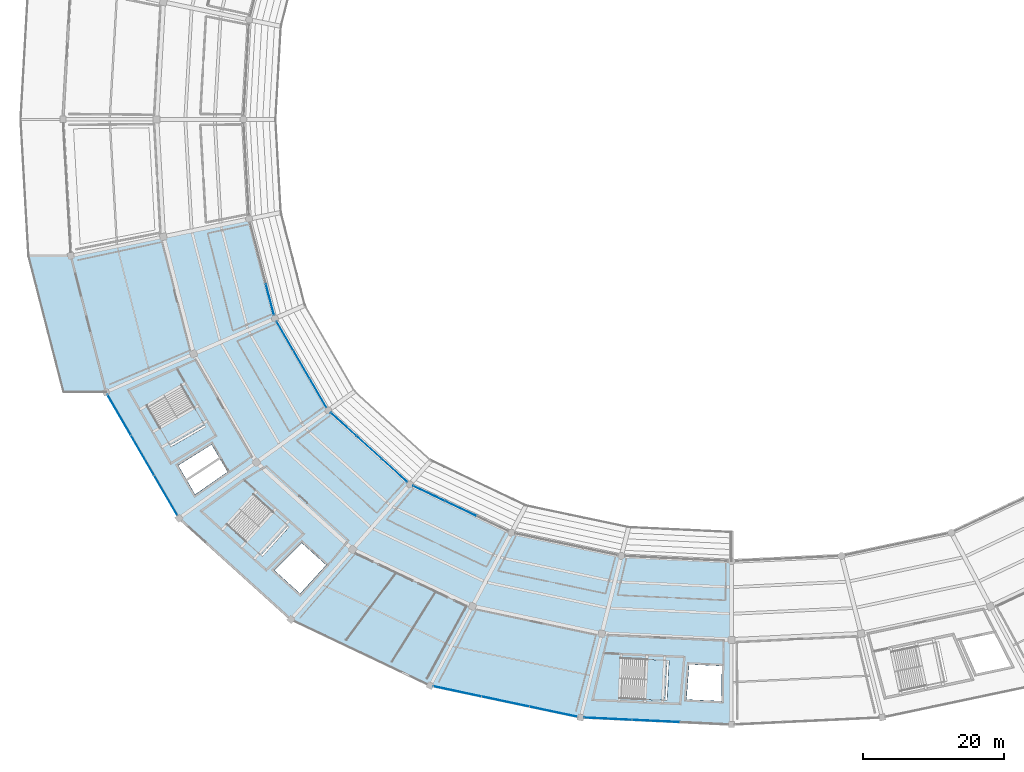
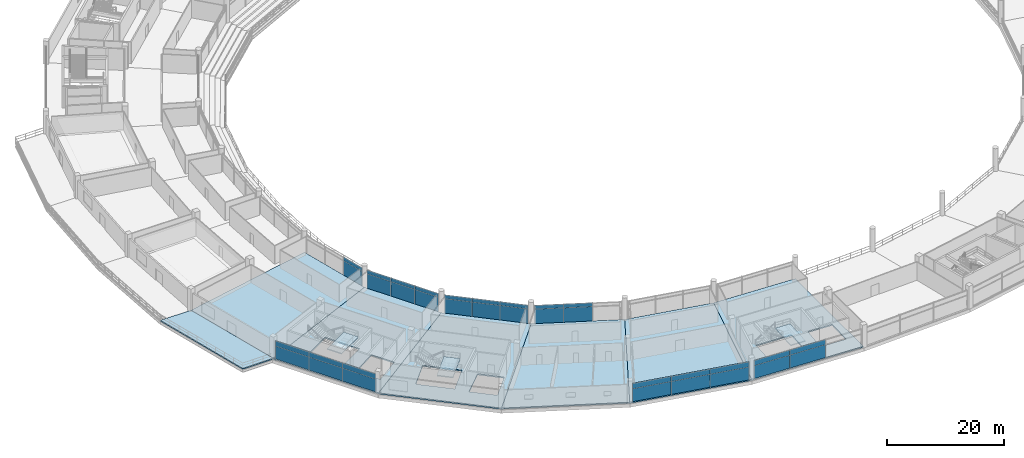
# One storey, part 122 of 171: 34 plates, 10 slabs, 10 elements without a shape of their own.
"""IFC4 building model written with IfcOpenShell, lengths in metres."""

import ifcopenshell
import ifcopenshell.guid

model = None  # the IFC model being written
_history = None  # IfcOwnerHistory: only IFC2X3 demands one
_inside = {}  # id of a spatial element -> (the spatial element, [elements in it])
_under = {}  # id of a project, library or spatial element -> (it, [spatial elements below it])
_declared = {}  # id of a project -> (the project, [libraries it declares])
_typed = {}  # id of a type object -> (the type object, [elements of that type])
_made_of = {}  # id of a material, layer set ... -> (it, [elements and type objects made of it])


def new_model(schema):
    """Start an empty IFC model of exactly this schema.

    Asked for "IFC4X3", IfcOpenShell would pick the latest addendum, in which some entities
    have other attributes; the version numbers below select the first issue.
    IFC2X3 requires an IfcOwnerHistory on every rooted entity: one is made here for all.
    """
    global model, _history
    if schema == "IFC4X3":
        model = ifcopenshell.file(schema_version=(4, 3, 0, 0))
    else:
        model = ifcopenshell.file(schema=schema)
    _inside.clear()
    _under.clear()
    _declared.clear()
    _typed.clear()
    _made_of.clear()
    _history = None
    if model.schema == "IFC2X3":
        org = make("IfcOrganization", Name="unknown")
        user = make(
            "IfcPersonAndOrganization",
            ThePerson=make("IfcPerson", FamilyName="unknown"),
            TheOrganization=org,
        )
        app = make(
            "IfcApplication",
            ApplicationDeveloper=org,
            Version="unknown",
            ApplicationFullName="unknown",
            ApplicationIdentifier="unknown",
        )
        _history = make(
            "IfcOwnerHistory",
            OwningUser=user,
            OwningApplication=app,
            ChangeAction="ADDED",
            CreationDate=0,
        )
    return model


def make(cls, **values):
    """One entity of the class cls with the attributes given. An attribute that is None is left unset."""
    return model.create_entity(
        cls, **{name: value for name, value in values.items() if value is not None}
    )


def rooted(cls, **values):
    """An entity with a GlobalId (a new one), such as an element, a storey or a relation."""
    return make(cls, GlobalId=ifcopenshell.guid.new(), OwnerHistory=_history, **values)


def si_unit(unit_type, name, prefix=None):
    """IfcSIUnit, for example si_unit("LENGTHUNIT", "METRE", prefix="MILLI")."""
    return make("IfcSIUnit", UnitType=unit_type, Prefix=prefix, Name=name)


def assignment(units):
    """IfcUnitAssignment: the units of a project."""
    return None if units is None else make("IfcUnitAssignment", Units=units)


def point(xyz):
    """IfcCartesianPoint."""
    return None if xyz is None else make("IfcCartesianPoint", Coordinates=xyz)


def direction(xyz):
    """IfcDirection."""
    return None if xyz is None else make("IfcDirection", DirectionRatios=xyz)


def frame(location, z_axis=None, x_axis=None):
    """IfcAxis2Placement3D, a coordinate frame: its origin and axes. An axis left out is left unset."""
    return make(
        "IfcAxis2Placement3D",
        Location=point(location),
        Axis=direction(z_axis),
        RefDirection=direction(x_axis),
    )


def frame_2d(location, x_axis=None):
    """IfcAxis2Placement2D, a coordinate frame in the plane: its origin and x axis."""
    return make(
        "IfcAxis2Placement2D", Location=point(location), RefDirection=direction(x_axis)
    )


def origin():
    """The frame at (0, 0, 0) with its axes left unset."""
    return frame((0.0, 0.0, 0.0))


def origin_2d():
    """The frame at (0, 0) in the plane with its x axis left unset."""
    return frame_2d((0.0, 0.0))


def place(relative_to, where):
    """IfcLocalPlacement: puts the frame where relative to a parent placement (None: the world)."""
    return make(
        "IfcLocalPlacement", PlacementRelTo=relative_to, RelativePlacement=where
    )


def context(
    kind, dimensions, precision=None, world=None, true_north=None, identifier=None
):
    """IfcGeometricRepresentationContext, for example the 3D "Model" context."""
    return make(
        "IfcGeometricRepresentationContext",
        ContextIdentifier=identifier,
        ContextType=kind,
        CoordinateSpaceDimension=dimensions,
        Precision=precision,
        WorldCoordinateSystem=world,
        TrueNorth=true_north,
    )


def subcontext(parent, identifier, kind, view, scale=None):
    """IfcGeometricRepresentationSubContext, for example "Body" below "Model"."""
    return make(
        "IfcGeometricRepresentationSubContext",
        ContextIdentifier=identifier,
        ContextType=kind,
        ParentContext=parent,
        TargetScale=scale,
        TargetView=view,
    )


def project(units=None, contexts=None):
    """IfcProject with its units and contexts."""
    return rooted(
        "IfcProject",
        Name="project",
        RepresentationContexts=contexts,
        UnitsInContext=assignment(units),
    )


def spatial(cls, under=None, at=None, **own):
    """A site, building, storey or space (cls), placed at a placement, below another one or the project."""
    s = rooted(cls, ObjectPlacement=at, **own)
    if under is not None:
        _under.setdefault(under.id(), (under, []))[1].append(s)
    return s


def polyline(points):
    """IfcPolyline through the points."""
    return make("IfcPolyline", Points=[point(p) for p in points])


def profile(cls, at=None, kind="AREA", **sizes):
    """A parametric profile (cls). Its sizes go by their IFC names, for example OverallWidth=200.0."""
    return make(cls, ProfileType=kind, Position=at, **sizes)


def rectangle(**sizes):
    """IfcRectangleProfileDef."""
    return profile("IfcRectangleProfileDef", **sizes)


def outline(outer, holes=None, kind="AREA"):
    """IfcArbitraryClosedProfileDef: a profile drawn as a closed curve; with holes, ...WithVoids."""
    if holes is None:
        return make("IfcArbitraryClosedProfileDef", ProfileType=kind, OuterCurve=outer)
    return make(
        "IfcArbitraryProfileDefWithVoids",
        ProfileType=kind,
        OuterCurve=outer,
        InnerCurves=holes,
    )


def extrude(swept, where, along, depth):
    """IfcExtrudedAreaSolid: the profile swept, set in the frame where, extruded along a direction by depth."""
    return make(
        "IfcExtrudedAreaSolid",
        SweptArea=swept,
        Position=where,
        ExtrudedDirection=direction(along),
        Depth=depth,
    )


def shape(context_of_items, identifier, shape_type, items):
    """IfcShapeRepresentation: the items that make up one representation, for example the "Body"."""
    return make(
        "IfcShapeRepresentation",
        ContextOfItems=context_of_items,
        RepresentationIdentifier=identifier,
        RepresentationType=shape_type,
        Items=items,
    )


def material(Name=None, Category=None):
    """IfcMaterial."""
    return make("IfcMaterial", Name=Name, Category=Category)


def layer(
    of_material, thickness, ventilated=None, Name=None, Category=None, Priority=None
):
    """IfcMaterialLayer: one layer of a wall or slab, of a material (None: an air gap)."""
    return make(
        "IfcMaterialLayer",
        Material=of_material,
        LayerThickness=thickness,
        IsVentilated=ventilated,
        Name=Name,
        Category=Category,
        Priority=Priority,
    )


def layer_set(layers, Name=None):
    """IfcMaterialLayerSet."""
    return make("IfcMaterialLayerSet", MaterialLayers=layers, LayerSetName=Name)


def made_of(thing, what):
    """Note that an element or type object is made of a material, layer set ...; save() writes the relation."""
    if what is not None:
        _made_of.setdefault(what.id(), (what, []))[1].append(thing)
    return thing


def type_object(cls, material=None, **own):
    """A type object (cls), such as IfcWallType, which elements share."""
    return made_of(rooted(cls, **own), material)


def element(
    cls,
    number,
    at=None,
    inside=None,
    cuts=None,
    type_object=None,
    material=None,
    context=None,
    identifier="Body",
    shape_type=None,
    held_by="IfcProductDefinitionShape",
    body=None,
    shapes=None,
    **own,
):
    """One element of the class cls, such as IfcWall. Its Tag is "e" and its number.

    at: its placement. inside: the storey or other place that contains it. cuts: it is an
    opening in that element (IfcRelVoidsElement). A single representation is given by context,
    identifier, shape_type and body (its items); several are given by shapes. held_by: the class
    of the entity that holds the representations. save() writes the other relations.
    """
    e = rooted(cls, Tag="e%d" % number, ObjectPlacement=at, **own)
    if body is not None:
        shapes = [shape(context, identifier, shape_type, body)]
    if shapes is not None:
        e.Representation = make(held_by, Representations=shapes)
    if inside is not None:
        _inside.setdefault(inside.id(), (inside, []))[1].append(e)
    if cuts is not None:
        rooted(
            "IfcRelVoidsElement", RelatingBuildingElement=cuts, RelatedOpeningElement=e
        )
    if type_object is not None:
        _typed.setdefault(type_object.id(), (type_object, []))[1].append(e)
    return made_of(e, material)


def aggregate(whole, parts):
    """IfcRelAggregates: a whole, such as a stair, and the parts it consists of."""
    return rooted("IfcRelAggregates", RelatingObject=whole, RelatedObjects=parts)


def save(model, path):
    """Write the relations noted so far, then the file.

    IfcRelAggregates (storeys below a building ...), IfcRelContainedInSpatialStructure (elements
    in a storey), IfcRelDefinesByType, IfcRelAssociatesMaterial and IfcRelDeclares: one each for
    every whole, place, type object, material and project.
    """
    for whole, parts in _under.values():
        aggregate(whole, parts)
    for where, things in _inside.values():
        rooted(
            "IfcRelContainedInSpatialStructure",
            RelatedElements=things,
            RelatingStructure=where,
        )
    for kind, things in _typed.values():
        rooted("IfcRelDefinesByType", RelatedObjects=things, RelatingType=kind)
    for what, things in _made_of.values():
        rooted("IfcRelAssociatesMaterial", RelatedObjects=things, RelatingMaterial=what)
    for by, libraries in _declared.values():
        rooted("IfcRelDeclares", RelatingContext=by, RelatedDefinitions=libraries)
    model.write(path)


model = new_model("IFC4")

# Units and contexts
model_context = context("Model", 3, precision=1e-05, world=origin(), true_north=direction((0.0, 1.0)))
body_context = subcontext(model_context, "Body", "Model", "MODEL_VIEW")
ifc_project = project(units=[si_unit("LENGTHUNIT", "METRE"), si_unit("AREAUNIT", "SQUARE_METRE"), si_unit("VOLUMEUNIT", "CUBIC_METRE"), si_unit("PLANEANGLEUNIT", "RADIAN"), si_unit("MASSUNIT", "GRAM", prefix="KILO")], contexts=[model_context])

# Site, building, storey
site_placement = place(None, origin())
site = spatial("IfcSite", under=ifc_project, at=site_placement, CompositionType="ELEMENT")
building_placement = place(site_placement, origin())
building = spatial("IfcBuilding", under=site, at=building_placement, Name="Kazemori Nagisa Stadium", CompositionType="ELEMENT")
storey_placement = place(building_placement, frame((0.0, 0.0, 15.639892578125)))
storey = spatial("IfcBuildingStorey", under=building, at=storey_placement, Name="L03", CompositionType="ELEMENT", Elevation=15.639892578125)

# Curtain wall, plate
ifc_material_1 = material(Name="Anodised aluminium 6063-T5", Category="aluminium")
ifc_layer_1 = layer(ifc_material_1, 0.2099609375, Name="Anodised aluminium 6063-T5", Category="aluminium")
ifc_layer_set_1 = layer_set([ifc_layer_1], Name="Anodised aluminium 6063-T5")
curtain_wall_type_1 = type_object("IfcCurtainWallType", Name="CW_L03B_68", PredefinedType="USERDEFINED", material=ifc_layer_set_1)
curtain_wall_1_placement = place(storey_placement, origin())
curtain_wall_1 = element("IfcCurtainWall", 1, at=curtain_wall_1_placement, inside=storey, type_object=curtain_wall_type_1, Name="Unitised curtain wall CW-L03B-68 L03", ObjectType="UNITISED CURTAIN WALL", PredefinedType="USERDEFINED")
ifc_material_2 = material(Name="Anodised aluminium spandrel sheet", Category="aluminium")
ifc_layer_2 = layer(ifc_material_2, 0.047119140625, Name="Anodised aluminium spandrel sheet", Category="aluminium")
ifc_layer_set_2 = layer_set([ifc_layer_2], Name="Anodised aluminium spandrel sheet")
plate_type_1 = type_object("IfcPlateType", Name="CWPanel_SPN_L03B_68", PredefinedType="CURTAIN_PANEL", material=ifc_layer_set_2)
plate_1_placement = place(storey_placement, frame((57.4169921875, 76.41259765625, 3.01025390625), z_axis=(0.0, 0.0, 1.0), x_axis=(0.249964642418, -0.968254965152, 0.0)))
plate_1 = element("IfcPlate", 2, at=plate_1_placement, type_object=plate_type_1, Name="Curtain wall spandrel panel CW-L03B-68-S3", PredefinedType="CURTAIN_PANEL", context=body_context, shape_type="SweptSolid", body=[
    extrude(rectangle(XDim=4.482666015625, YDim=0.047119140625, at=origin_2d()), origin(), (0.0, 0.0, 1.0), 0.800048828125),
])

# Curtain wall, plates
ifc_layer_3 = layer(ifc_material_1, 0.2099609375, Name="Anodised aluminium 6063-T5", Category="aluminium")
ifc_layer_set_3 = layer_set([ifc_layer_3], Name="Anodised aluminium 6063-T5")
curtain_wall_type_2 = type_object("IfcCurtainWallType", Name="CW_L03B_71", PredefinedType="USERDEFINED", material=ifc_layer_set_3)
curtain_wall_2_placement = place(storey_placement, origin())
curtain_wall_2 = element("IfcCurtainWall", 3, at=curtain_wall_2_placement, inside=storey, type_object=curtain_wall_type_2, Name="Unitised curtain wall CW-L03B-71 L03", ObjectType="UNITISED CURTAIN WALL", PredefinedType="USERDEFINED")
ifc_layer_4 = layer(ifc_material_2, 0.047119140625, Name="Anodised aluminium spandrel sheet", Category="aluminium")
ifc_layer_set_4 = layer_set([ifc_layer_4], Name="Anodised aluminium spandrel sheet")
plate_type_2 = type_object("IfcPlateType", Name="CWPanel_SPN_L03B_71", PredefinedType="CURTAIN_PANEL", material=ifc_layer_set_4)
plate_2_placement = place(storey_placement, frame((59.556884765625, 71.224365234375, 3.01025390625), z_axis=(0.0, 0.0, 1.0), x_axis=(0.501611590054, -0.865092950337, 0.0)))
plate_2 = element("IfcPlate", 4, at=plate_2_placement, type_object=plate_type_2, Name="Curtain wall spandrel panel CW-L03B-71-S1", PredefinedType="CURTAIN_PANEL", context=body_context, shape_type="SweptSolid", body=[
    extrude(rectangle(XDim=4.659423828125, YDim=0.047119140625, at=origin_2d()), origin(), (0.0, 0.0, 1.0), 0.800048828125),
])
plate_3_placement = place(storey_placement, frame((61.90625, 67.172607421875, 3.01025390625), z_axis=(0.0, 0.0, 1.0), x_axis=(0.501611590054, -0.865092950337, 0.0)))
plate_3 = element("IfcPlate", 5, at=plate_3_placement, type_object=plate_type_2, Name="Curtain wall spandrel panel CW-L03B-71-S2", PredefinedType="CURTAIN_PANEL", context=body_context, shape_type="SweptSolid", body=[
    extrude(rectangle(XDim=4.659423828125, YDim=0.047119140625, at=origin_2d()), origin(), (0.0, 0.0, 1.0), 0.800048828125),
])
plate_4_placement = place(storey_placement, frame((64.25537109375, 63.12109375, 3.01025390625), z_axis=(0.0, 0.0, 1.0), x_axis=(0.501611590054, -0.865092950337, 0.0)))
plate_4 = element("IfcPlate", 6, at=plate_4_placement, type_object=plate_type_2, Name="Curtain wall spandrel panel CW-L03B-71-S3", PredefinedType="CURTAIN_PANEL", context=body_context, shape_type="SweptSolid", body=[
    extrude(rectangle(XDim=4.659423828125, YDim=0.047119140625, at=origin_2d()), origin(), (0.0, 0.0, 1.0), 0.800048828125),
])

ifc_layer_5 = layer(ifc_material_1, 0.2099609375, Name="Anodised aluminium 6063-T5", Category="aluminium")
ifc_layer_set_5 = layer_set([ifc_layer_5], Name="Anodised aluminium 6063-T5")
curtain_wall_type_3 = type_object("IfcCurtainWallType", Name="CW_L03B_73", PredefinedType="USERDEFINED", material=ifc_layer_set_5)
curtain_wall_3_placement = place(storey_placement, origin())
curtain_wall_3 = element("IfcCurtainWall", 7, at=curtain_wall_3_placement, inside=storey, type_object=curtain_wall_type_3, Name="Unitised curtain wall CW-L03B-73 L03", ObjectType="UNITISED CURTAIN WALL", PredefinedType="USERDEFINED")
ifc_layer_6 = layer(ifc_material_2, 0.047119140625, Name="Anodised aluminium spandrel sheet", Category="aluminium")
ifc_layer_set_6 = layer_set([ifc_layer_6], Name="Anodised aluminium spandrel sheet")
plate_type_3 = type_object("IfcPlateType", Name="CWPanel_SPN_L03B_73", PredefinedType="CURTAIN_PANEL", material=ifc_layer_set_6)
plate_5_placement = place(storey_placement, frame((67.89697265625, 58.642333984375, 3.01025390625), z_axis=(0.0, 0.0, 1.0), x_axis=(0.741350875443, -0.671117634607, 0.0)))
plate_5 = element("IfcPlate", 8, at=plate_5_placement, type_object=plate_type_3, Name="Curtain wall spandrel panel CW-L03B-73-S1", PredefinedType="CURTAIN_PANEL", context=body_context, shape_type="SweptSolid", body=[
    extrude(rectangle(XDim=4.83740234375, YDim=0.047119140625, at=origin_2d()), origin(), (0.0, 0.0, 1.0), 0.800048828125),
])
plate_6_placement = place(storey_placement, frame((71.5009765625, 55.3798828125, 3.01025390625), z_axis=(0.0, 0.0, 1.0), x_axis=(0.741350875443, -0.671117634607, 0.0)))
plate_6 = element("IfcPlate", 9, at=plate_6_placement, type_object=plate_type_3, Name="Curtain wall spandrel panel CW-L03B-73-S2", PredefinedType="CURTAIN_PANEL", context=body_context, shape_type="SweptSolid", body=[
    extrude(rectangle(XDim=4.83740234375, YDim=0.047119140625, at=origin_2d()), origin(), (0.0, 0.0, 1.0), 0.800048828125),
])
plate_7_placement = place(storey_placement, frame((75.10498046875, 52.1171875, 3.01025390625), z_axis=(0.0, 0.0, 1.0), x_axis=(0.741350875443, -0.671117634607, 0.0)))
plate_7 = element("IfcPlate", 10, at=plate_7_placement, type_object=plate_type_3, Name="Curtain wall spandrel panel CW-L03B-73-S3", PredefinedType="CURTAIN_PANEL", context=body_context, shape_type="SweptSolid", body=[
    extrude(rectangle(XDim=4.83740234375, YDim=0.047119140625, at=origin_2d()), origin(), (0.0, 0.0, 1.0), 0.800048828125),
])

ifc_layer_7 = layer(ifc_material_1, 0.2099609375, Name="Anodised aluminium 6063-T5", Category="aluminium")
ifc_layer_set_7 = layer_set([ifc_layer_7], Name="Anodised aluminium 6063-T5")
curtain_wall_type_4 = type_object("IfcCurtainWallType", Name="CW_L03B_75", PredefinedType="USERDEFINED", material=ifc_layer_set_7)
curtain_wall_4_placement = place(storey_placement, origin())
curtain_wall_4 = element("IfcCurtainWall", 11, at=curtain_wall_4_placement, inside=storey, type_object=curtain_wall_type_4, Name="Unitised curtain wall CW-L03B-75 L03", ObjectType="UNITISED CURTAIN WALL", PredefinedType="USERDEFINED")
ifc_layer_8 = layer(ifc_material_2, 0.047119140625, Name="Anodised aluminium spandrel sheet", Category="aluminium")
ifc_layer_set_8 = layer_set([ifc_layer_8], Name="Anodised aluminium spandrel sheet")
plate_type_4 = type_object("IfcPlateType", Name="CWPanel_SPN_L03B_75", PredefinedType="CURTAIN_PANEL", material=ifc_layer_set_8)
plate_8_placement = place(storey_placement, frame((80.03369140625, 48.82958984375, 3.01025390625), z_axis=(0.0, 0.0, 1.0), x_axis=(0.903215892654, -0.429186499388, 0.0)))
plate_8 = element("IfcPlate", 12, at=plate_8_placement, type_object=plate_type_4, Name="Curtain wall spandrel panel CW-L03B-75-S1", PredefinedType="CURTAIN_PANEL", context=body_context, shape_type="SweptSolid", body=[
    extrude(rectangle(XDim=4.95166015625, YDim=0.047119140625, at=origin_2d()), origin(), (0.0, 0.0, 1.0), 0.800048828125),
])
plate_9_placement = place(storey_placement, frame((84.528076171875, 46.694091796875, 3.01025390625), z_axis=(0.0, 0.0, 1.0), x_axis=(0.903215892654, -0.429186499388, 0.0)))
plate_9 = element("IfcPlate", 13, at=plate_9_placement, type_object=plate_type_4, Name="Curtain wall spandrel panel CW-L03B-75-S2", PredefinedType="CURTAIN_PANEL", context=body_context, shape_type="SweptSolid", body=[
    extrude(rectangle(XDim=4.95166015625, YDim=0.047119140625, at=origin_2d()), origin(), (0.0, 0.0, 1.0), 0.800048828125),
])

ifc_layer_9 = layer(ifc_material_1, 0.2099609375, Name="Anodised aluminium 6063-T5", Category="aluminium")
ifc_layer_set_9 = layer_set([ifc_layer_9], Name="Anodised aluminium 6063-T5")
curtain_wall_type_5 = type_object("IfcCurtainWallType", Name="CW_L03R3_103", PredefinedType="USERDEFINED", material=ifc_layer_set_9)
curtain_wall_5_placement = place(storey_placement, origin())
curtain_wall_5 = element("IfcCurtainWall", 14, at=curtain_wall_5_placement, inside=storey, type_object=curtain_wall_type_5, Name="Unitised curtain wall CW-L03R3-103 L03", ObjectType="UNITISED CURTAIN WALL", PredefinedType="USERDEFINED")
ifc_layer_10 = layer(ifc_material_2, 0.050048828125, Name="Anodised aluminium spandrel sheet", Category="aluminium")
ifc_layer_set_10 = layer_set([ifc_layer_10], Name="Anodised aluminium spandrel sheet")
plate_type_5 = type_object("IfcPlateType", Name="CWPanel_SPN_L03R3_103", PredefinedType="CURTAIN_PANEL", material=ifc_layer_set_10)
plate_10_placement = place(storey_placement, frame((105.4599609375, 16.829345703125, 2.705078125), z_axis=(0.0, 0.0, 1.0), x_axis=(0.998884022476, -0.047230388971, 0.0)))
plate_10 = element("IfcPlate", 15, at=plate_10_placement, type_object=plate_type_5, Name="Curtain wall spandrel panel CW-L03R3-103-S1", PredefinedType="CURTAIN_PANEL", context=body_context, shape_type="SweptSolid", body=[
    extrude(rectangle(XDim=6.81005859375, YDim=0.050048828125, at=origin_2d()), origin(), (0.0, 0.0, 1.0), 1.10498046875),
])
plate_11_placement = place(storey_placement, frame((112.2861328125, 16.506591796875, 2.705078125), z_axis=(0.0, 0.0, 1.0), x_axis=(0.998884022476, -0.047230388971, 0.0)))
plate_11 = element("IfcPlate", 16, at=plate_11_placement, type_object=plate_type_5, Name="Curtain wall spandrel panel CW-L03R3-103-S2", PredefinedType="CURTAIN_PANEL", context=body_context, shape_type="SweptSolid", body=[
    extrude(rectangle(XDim=6.81005859375, YDim=0.050048828125, at=origin_2d()), origin(), (0.0, 0.0, 1.0), 1.10498046875),
])

ifc_layer_11 = layer(ifc_material_1, 0.2099609375, Name="Anodised aluminium 6063-T5", Category="aluminium")
ifc_layer_set_11 = layer_set([ifc_layer_11], Name="Anodised aluminium 6063-T5")
curtain_wall_type_6 = type_object("IfcCurtainWallType", Name="CW_L03R3_105", PredefinedType="USERDEFINED", material=ifc_layer_set_11)
curtain_wall_6_placement = place(storey_placement, origin())
curtain_wall_6 = element("IfcCurtainWall", 17, at=curtain_wall_6_placement, inside=storey, type_object=curtain_wall_type_6, Name="Unitised curtain wall CW-L03R3-105 L03", ObjectType="UNITISED CURTAIN WALL", PredefinedType="USERDEFINED")
ifc_layer_12 = layer(ifc_material_2, 0.050048828125, Name="Anodised aluminium spandrel sheet", Category="aluminium")
ifc_layer_set_12 = layer_set([ifc_layer_12], Name="Anodised aluminium spandrel sheet")
plate_type_6 = type_object("IfcPlateType", Name="CWPanel_SPN_L03R3_105", PredefinedType="CURTAIN_PANEL", material=ifc_layer_set_12)
plate_12_placement = place(storey_placement, frame((84.06787109375, 20.716552734375, 2.705078125), z_axis=(0.0, 0.0, 1.0), x_axis=(0.978344955407, -0.206981033502, 0.0)))
plate_12 = element("IfcPlate", 18, at=plate_12_placement, type_object=plate_type_6, Name="Curtain wall spandrel panel CW-L03R3-105-S1", PredefinedType="CURTAIN_PANEL", context=body_context, shape_type="SweptSolid", body=[
    extrude(rectangle(XDim=6.942626953125, YDim=0.050048828125, at=origin_2d()), origin(), (0.0, 0.0, 1.0), 1.10498046875),
])
plate_13_placement = place(storey_placement, frame((90.8837890625, 19.2744140625, 2.705078125), z_axis=(0.0, 0.0, 1.0), x_axis=(0.978344955407, -0.206981033502, 0.0)))
plate_13 = element("IfcPlate", 19, at=plate_13_placement, type_object=plate_type_6, Name="Curtain wall spandrel panel CW-L03R3-105-S2", PredefinedType="CURTAIN_PANEL", context=body_context, shape_type="SweptSolid", body=[
    extrude(rectangle(XDim=6.942626953125, YDim=0.050048828125, at=origin_2d()), origin(), (0.0, 0.0, 1.0), 1.10498046875),
])
plate_14_placement = place(storey_placement, frame((97.69970703125, 17.83251953125, 2.705078125), z_axis=(0.0, 0.0, 1.0), x_axis=(0.978344955407, -0.206981033502, 0.0)))
plate_14 = element("IfcPlate", 20, at=plate_14_placement, type_object=plate_type_6, Name="Curtain wall spandrel panel CW-L03R3-105-S3", PredefinedType="CURTAIN_PANEL", context=body_context, shape_type="SweptSolid", body=[
    extrude(rectangle(XDim=6.942626953125, YDim=0.050048828125, at=origin_2d()), origin(), (0.0, 0.0, 1.0), 1.10498046875),
])

ifc_layer_13 = layer(ifc_material_1, 0.2099609375, Name="Anodised aluminium 6063-T5", Category="aluminium")
ifc_layer_set_13 = layer_set([ifc_layer_13], Name="Anodised aluminium 6063-T5")
curtain_wall_type_7 = type_object("IfcCurtainWallType", Name="CW_L03R3_99", PredefinedType="USERDEFINED", material=ifc_layer_set_13)
curtain_wall_7_placement = place(storey_placement, origin())
curtain_wall_7 = element("IfcCurtainWall", 21, at=curtain_wall_7_placement, inside=storey, type_object=curtain_wall_type_7, Name="Unitised curtain wall CW-L03R3-99 L03", ObjectType="UNITISED CURTAIN WALL", PredefinedType="USERDEFINED")
ifc_layer_14 = layer(ifc_material_2, 0.050048828125, Name="Anodised aluminium spandrel sheet", Category="aluminium")
ifc_layer_set_14 = layer_set([ifc_layer_14], Name="Anodised aluminium spandrel sheet")
plate_type_7 = type_object("IfcPlateType", Name="CWPanel_SPN_L03R3_99", PredefinedType="CURTAIN_PANEL", material=ifc_layer_set_14)
plate_15_placement = place(storey_placement, frame((36.005615234375, 59.990234375, 2.705078125), z_axis=(0.0, 0.0, 1.0), x_axis=(0.501611590054, -0.865092950337, 0.0)))
plate_15 = element("IfcPlate", 22, at=plate_15_placement, type_object=plate_type_7, Name="Curtain wall spandrel panel CW-L03R3-99-S1", PredefinedType="CURTAIN_PANEL", context=body_context, shape_type="SweptSolid", body=[
    extrude(rectangle(XDim=6.563232421875, YDim=0.050048828125, at=origin_2d()), origin(), (0.0, 0.0, 1.0), 1.10498046875),
])
plate_16_placement = place(storey_placement, frame((39.309814453125, 54.29150390625, 2.705078125), z_axis=(0.0, 0.0, 1.0), x_axis=(0.501611590054, -0.865092950337, 0.0)))
plate_16 = element("IfcPlate", 23, at=plate_16_placement, type_object=plate_type_7, Name="Curtain wall spandrel panel CW-L03R3-99-S2", PredefinedType="CURTAIN_PANEL", context=body_context, shape_type="SweptSolid", body=[
    extrude(rectangle(XDim=6.563232421875, YDim=0.050048828125, at=origin_2d()), origin(), (0.0, 0.0, 1.0), 1.10498046875),
])
plate_17_placement = place(storey_placement, frame((42.6142578125, 48.5927734375, 2.705078125), z_axis=(0.0, 0.0, 1.0), x_axis=(0.501611590054, -0.865092950337, 0.0)))
plate_17 = element("IfcPlate", 24, at=plate_17_placement, type_object=plate_type_7, Name="Curtain wall spandrel panel CW-L03R3-99-S3", PredefinedType="CURTAIN_PANEL", context=body_context, shape_type="SweptSolid", body=[
    extrude(rectangle(XDim=6.563232421875, YDim=0.050048828125, at=origin_2d()), origin(), (0.0, 0.0, 1.0), 1.10498046875),
])

# Plate
ifc_material_3 = material(Name="Low-e laminated double glazing", Category="glass")
ifc_layer_15 = layer(ifc_material_3, 0.033935546875, Name="Low-e laminated double glazing", Category="glass")
ifc_layer_set_15 = layer_set([ifc_layer_15], Name="Low-e laminated double glazing")
plate_type_8 = type_object("IfcPlateType", Name="CWPanel_VIS_L03B_68", PredefinedType="CURTAIN_PANEL", material=ifc_layer_set_15)
plate_18_placement = place(storey_placement, frame((57.4169921875, 76.41259765625, 0.0), z_axis=(0.0, 0.0, 1.0), x_axis=(0.249964642418, -0.968254965152, 0.0)))
plate_18 = element("IfcPlate", 25, at=plate_18_placement, type_object=plate_type_8, Name="Curtain wall vision panel CW-L03B-68-V3", PredefinedType="CURTAIN_PANEL", context=body_context, shape_type="SweptSolid", body=[
    extrude(rectangle(XDim=4.482666015625, YDim=0.033935546875, at=origin_2d()), origin(), (0.0, 0.0, 1.0), 3.010009765625),
])

aggregate(curtain_wall_1, [plate_18, plate_1])

ifc_layer_16 = layer(ifc_material_3, 0.033935546875, Name="Low-e laminated double glazing", Category="glass")
ifc_layer_set_16 = layer_set([ifc_layer_16], Name="Low-e laminated double glazing")
plate_type_9 = type_object("IfcPlateType", Name="CWPanel_VIS_L03B_71", PredefinedType="CURTAIN_PANEL", material=ifc_layer_set_16)
plate_19_placement = place(storey_placement, frame((59.556884765625, 71.224365234375, 0.0), z_axis=(0.0, 0.0, 1.0), x_axis=(0.501611590054, -0.865092950337, 0.0)))
plate_19 = element("IfcPlate", 26, at=plate_19_placement, type_object=plate_type_9, Name="Curtain wall vision panel CW-L03B-71-V1", PredefinedType="CURTAIN_PANEL", context=body_context, shape_type="SweptSolid", body=[
    extrude(rectangle(XDim=4.659423828125, YDim=0.033935546875, at=origin_2d()), origin(), (0.0, 0.0, 1.0), 3.010009765625),
])

plate_20_placement = place(storey_placement, frame((61.90625, 67.172607421875, 0.0), z_axis=(0.0, 0.0, 1.0), x_axis=(0.501611590054, -0.865092950337, 0.0)))
plate_20 = element("IfcPlate", 27, at=plate_20_placement, type_object=plate_type_9, Name="Curtain wall vision panel CW-L03B-71-V2", PredefinedType="CURTAIN_PANEL", context=body_context, shape_type="SweptSolid", body=[
    extrude(rectangle(XDim=4.659423828125, YDim=0.033935546875, at=origin_2d()), origin(), (0.0, 0.0, 1.0), 3.010009765625),
])

plate_21_placement = place(storey_placement, frame((64.25537109375, 63.12109375, 0.0), z_axis=(0.0, 0.0, 1.0), x_axis=(0.501611590054, -0.865092950337, 0.0)))
plate_21 = element("IfcPlate", 28, at=plate_21_placement, type_object=plate_type_9, Name="Curtain wall vision panel CW-L03B-71-V3", PredefinedType="CURTAIN_PANEL", context=body_context, shape_type="SweptSolid", body=[
    extrude(rectangle(XDim=4.659423828125, YDim=0.033935546875, at=origin_2d()), origin(), (0.0, 0.0, 1.0), 3.010009765625),
])

aggregate(curtain_wall_2, [plate_19, plate_2, plate_20, plate_3, plate_21, plate_4])

ifc_layer_17 = layer(ifc_material_3, 0.033935546875, Name="Low-e laminated double glazing", Category="glass")
ifc_layer_set_17 = layer_set([ifc_layer_17], Name="Low-e laminated double glazing")
plate_type_10 = type_object("IfcPlateType", Name="CWPanel_VIS_L03B_73", PredefinedType="CURTAIN_PANEL", material=ifc_layer_set_17)
plate_22_placement = place(storey_placement, frame((67.89697265625, 58.642333984375, 0.0), z_axis=(0.0, 0.0, 1.0), x_axis=(0.741350875443, -0.671117634607, 0.0)))
plate_22 = element("IfcPlate", 29, at=plate_22_placement, type_object=plate_type_10, Name="Curtain wall vision panel CW-L03B-73-V1", PredefinedType="CURTAIN_PANEL", context=body_context, shape_type="SweptSolid", body=[
    extrude(rectangle(XDim=4.83740234375, YDim=0.033935546875, at=origin_2d()), origin(), (0.0, 0.0, 1.0), 3.010009765625),
])

plate_23_placement = place(storey_placement, frame((71.5009765625, 55.3798828125, 0.0), z_axis=(0.0, 0.0, 1.0), x_axis=(0.741350875443, -0.671117634607, 0.0)))
plate_23 = element("IfcPlate", 30, at=plate_23_placement, type_object=plate_type_10, Name="Curtain wall vision panel CW-L03B-73-V2", PredefinedType="CURTAIN_PANEL", context=body_context, shape_type="SweptSolid", body=[
    extrude(rectangle(XDim=4.83740234375, YDim=0.033935546875, at=origin_2d()), origin(), (0.0, 0.0, 1.0), 3.010009765625),
])

plate_24_placement = place(storey_placement, frame((75.10498046875, 52.1171875, 0.0), z_axis=(0.0, 0.0, 1.0), x_axis=(0.741350875443, -0.671117634607, 0.0)))
plate_24 = element("IfcPlate", 31, at=plate_24_placement, type_object=plate_type_10, Name="Curtain wall vision panel CW-L03B-73-V3", PredefinedType="CURTAIN_PANEL", context=body_context, shape_type="SweptSolid", body=[
    extrude(rectangle(XDim=4.83740234375, YDim=0.033935546875, at=origin_2d()), origin(), (0.0, 0.0, 1.0), 3.010009765625),
])

aggregate(curtain_wall_3, [plate_22, plate_5, plate_23, plate_6, plate_24, plate_7])

ifc_layer_18 = layer(ifc_material_3, 0.033935546875, Name="Low-e laminated double glazing", Category="glass")
ifc_layer_set_18 = layer_set([ifc_layer_18], Name="Low-e laminated double glazing")
plate_type_11 = type_object("IfcPlateType", Name="CWPanel_VIS_L03B_75", PredefinedType="CURTAIN_PANEL", material=ifc_layer_set_18)
plate_25_placement = place(storey_placement, frame((80.03369140625, 48.82958984375, 0.0), z_axis=(0.0, 0.0, 1.0), x_axis=(0.903215892654, -0.429186499388, 0.0)))
plate_25 = element("IfcPlate", 32, at=plate_25_placement, type_object=plate_type_11, Name="Curtain wall vision panel CW-L03B-75-V1", PredefinedType="CURTAIN_PANEL", context=body_context, shape_type="SweptSolid", body=[
    extrude(rectangle(XDim=4.95166015625, YDim=0.033935546875, at=origin_2d()), origin(), (0.0, 0.0, 1.0), 3.010009765625),
])

plate_26_placement = place(storey_placement, frame((84.528076171875, 46.694091796875, 0.0), z_axis=(0.0, 0.0, 1.0), x_axis=(0.903215892654, -0.429186499388, 0.0)))
plate_26 = element("IfcPlate", 33, at=plate_26_placement, type_object=plate_type_11, Name="Curtain wall vision panel CW-L03B-75-V2", PredefinedType="CURTAIN_PANEL", context=body_context, shape_type="SweptSolid", body=[
    extrude(rectangle(XDim=4.95166015625, YDim=0.033935546875, at=origin_2d()), origin(), (0.0, 0.0, 1.0), 3.010009765625),
])

aggregate(curtain_wall_4, [plate_25, plate_8, plate_26, plate_9])

ifc_layer_19 = layer(ifc_material_3, 0.031982421875, Name="Low-e laminated double glazing", Category="glass")
ifc_layer_set_19 = layer_set([ifc_layer_19], Name="Low-e laminated double glazing")
plate_type_12 = type_object("IfcPlateType", Name="CWPanel_VIS_L03R3_103", PredefinedType="CURTAIN_PANEL", material=ifc_layer_set_19)
plate_27_placement = place(storey_placement, frame((105.4599609375, 16.829345703125, 0.0), z_axis=(0.0, 0.0, 1.0), x_axis=(0.998884022476, -0.047230388971, 0.0)))
plate_27 = element("IfcPlate", 34, at=plate_27_placement, type_object=plate_type_12, Name="Curtain wall vision panel CW-L03R3-103-V1", PredefinedType="CURTAIN_PANEL", context=body_context, shape_type="SweptSolid", body=[
    extrude(rectangle(XDim=6.81005859375, YDim=0.031982421875, at=origin_2d()), origin(), (0.0, 0.0, 1.0), 2.705078125),
])

plate_28_placement = place(storey_placement, frame((112.2861328125, 16.506591796875, 0.0), z_axis=(0.0, 0.0, 1.0), x_axis=(0.998884022476, -0.047230388971, 0.0)))
plate_28 = element("IfcPlate", 35, at=plate_28_placement, type_object=plate_type_12, Name="Curtain wall vision panel CW-L03R3-103-V2", PredefinedType="CURTAIN_PANEL", context=body_context, shape_type="SweptSolid", body=[
    extrude(rectangle(XDim=6.81005859375, YDim=0.031982421875, at=origin_2d()), origin(), (0.0, 0.0, 1.0), 2.705078125),
])

aggregate(curtain_wall_5, [plate_27, plate_10, plate_28, plate_11])

ifc_layer_20 = layer(ifc_material_3, 0.031982421875, Name="Low-e laminated double glazing", Category="glass")
ifc_layer_set_20 = layer_set([ifc_layer_20], Name="Low-e laminated double glazing")
plate_type_13 = type_object("IfcPlateType", Name="CWPanel_VIS_L03R3_105", PredefinedType="CURTAIN_PANEL", material=ifc_layer_set_20)
plate_29_placement = place(storey_placement, frame((84.06787109375, 20.716552734375, 0.0), z_axis=(0.0, 0.0, 1.0), x_axis=(0.978344955407, -0.206981033502, 0.0)))
plate_29 = element("IfcPlate", 36, at=plate_29_placement, type_object=plate_type_13, Name="Curtain wall vision panel CW-L03R3-105-V1", PredefinedType="CURTAIN_PANEL", context=body_context, shape_type="SweptSolid", body=[
    extrude(rectangle(XDim=6.942626953125, YDim=0.031982421875, at=origin_2d()), origin(), (0.0, 0.0, 1.0), 2.705078125),
])

plate_30_placement = place(storey_placement, frame((90.8837890625, 19.2744140625, 0.0), z_axis=(0.0, 0.0, 1.0), x_axis=(0.978344955407, -0.206981033502, 0.0)))
plate_30 = element("IfcPlate", 37, at=plate_30_placement, type_object=plate_type_13, Name="Curtain wall vision panel CW-L03R3-105-V2", PredefinedType="CURTAIN_PANEL", context=body_context, shape_type="SweptSolid", body=[
    extrude(rectangle(XDim=6.942626953125, YDim=0.031982421875, at=origin_2d()), origin(), (0.0, 0.0, 1.0), 2.705078125),
])

plate_31_placement = place(storey_placement, frame((97.69970703125, 17.83251953125, 0.0), z_axis=(0.0, 0.0, 1.0), x_axis=(0.978344955407, -0.206981033502, 0.0)))
plate_31 = element("IfcPlate", 38, at=plate_31_placement, type_object=plate_type_13, Name="Curtain wall vision panel CW-L03R3-105-V3", PredefinedType="CURTAIN_PANEL", context=body_context, shape_type="SweptSolid", body=[
    extrude(rectangle(XDim=6.942626953125, YDim=0.031982421875, at=origin_2d()), origin(), (0.0, 0.0, 1.0), 2.705078125),
])

aggregate(curtain_wall_6, [plate_29, plate_12, plate_30, plate_13, plate_31, plate_14])

ifc_layer_21 = layer(ifc_material_3, 0.031982421875, Name="Low-e laminated double glazing", Category="glass")
ifc_layer_set_21 = layer_set([ifc_layer_21], Name="Low-e laminated double glazing")
plate_type_14 = type_object("IfcPlateType", Name="CWPanel_VIS_L03R3_99", PredefinedType="CURTAIN_PANEL", material=ifc_layer_set_21)
plate_32_placement = place(storey_placement, frame((36.005615234375, 59.990234375, 0.0), z_axis=(0.0, 0.0, 1.0), x_axis=(0.501611590054, -0.865092950337, 0.0)))
plate_32 = element("IfcPlate", 39, at=plate_32_placement, type_object=plate_type_14, Name="Curtain wall vision panel CW-L03R3-99-V1", PredefinedType="CURTAIN_PANEL", context=body_context, shape_type="SweptSolid", body=[
    extrude(rectangle(XDim=6.563232421875, YDim=0.031982421875, at=origin_2d()), origin(), (0.0, 0.0, 1.0), 2.705078125),
])

plate_33_placement = place(storey_placement, frame((39.309814453125, 54.29150390625, 0.0), z_axis=(0.0, 0.0, 1.0), x_axis=(0.501611590054, -0.865092950337, 0.0)))
plate_33 = element("IfcPlate", 40, at=plate_33_placement, type_object=plate_type_14, Name="Curtain wall vision panel CW-L03R3-99-V2", PredefinedType="CURTAIN_PANEL", context=body_context, shape_type="SweptSolid", body=[
    extrude(rectangle(XDim=6.563232421875, YDim=0.031982421875, at=origin_2d()), origin(), (0.0, 0.0, 1.0), 2.705078125),
])

plate_34_placement = place(storey_placement, frame((42.6142578125, 48.5927734375, 0.0), z_axis=(0.0, 0.0, 1.0), x_axis=(0.501611590054, -0.865092950337, 0.0)))
plate_34 = element("IfcPlate", 41, at=plate_34_placement, type_object=plate_type_14, Name="Curtain wall vision panel CW-L03R3-99-V3", PredefinedType="CURTAIN_PANEL", context=body_context, shape_type="SweptSolid", body=[
    extrude(rectangle(XDim=6.563232421875, YDim=0.031982421875, at=origin_2d()), origin(), (0.0, 0.0, 1.0), 2.705078125),
])

aggregate(curtain_wall_7, [plate_32, plate_15, plate_33, plate_16, plate_34, plate_17])

# Slabs
ifc_material_4 = material(Name="Concrete C36/45 (Fc36)", Category="concrete")
ifc_layer_22 = layer(ifc_material_4, 0.260009765625, Name="Concrete C36/45 (Fc36)", Category="concrete")
ifc_layer_set_22 = layer_set([ifc_layer_22], Name="Concrete C36/45 (Fc36)")
slab_type_1 = type_object("IfcSlabType", Name="Slab_SL-CLUB-260", PredefinedType="FLOOR", material=ifc_layer_set_22)
slab_1_placement = place(storey_placement, frame((0.0, 0.0, -0.260009765625)))
element("IfcSlab", 42, at=slab_1_placement, inside=storey, type_object=slab_type_1, Name="Concourse floor slab L03 bay 16", PredefinedType="FLOOR", context=body_context, shape_type="SweptSolid", body=[
    extrude(outline(polyline([(54.467041015625, 87.839599609375), (58.114013671875, 73.712890625), (34.114990234375, 63.25048828125), (29.119140625, 82.602294921875), (54.467041015625, 87.839599609375)])), origin(), (0.0, 0.0, 1.0), 0.260009765625),
])
slab_2_placement = place(storey_placement, frame((0.0, 0.0, -0.260009765625)))
element("IfcSlab", 43, at=slab_2_placement, inside=storey, type_object=slab_type_1, Name="Concourse floor slab L03 bay 17", PredefinedType="FLOOR", context=body_context, shape_type="SweptSolid", body=[
    extrude(outline(polyline([(58.114013671875, 73.712890625), (65.698486328125, 60.632568359375), (44.504638671875, 45.332275390625), (34.114990234375, 63.25048828125), (58.114013671875, 73.712890625)]), holes=[polyline([(44.858642578125, 64.196044921875), (48.274658203125, 58.3046875), (43.343505859375, 55.445556640625), (39.927490234375, 61.336669921875), (44.858642578125, 64.196044921875)]), polyline([(49.128662109375, 55.793701171875), (51.3828125, 51.90625), (46.787841796875, 48.6923828125), (44.38916015625, 52.829345703125), (49.128662109375, 55.793701171875)])]), origin(), (0.0, 0.0, 1.0), 0.260009765625),
])
slab_3_placement = place(storey_placement, frame((0.0, 0.0, -0.260009765625)))
element("IfcSlab", 44, at=slab_3_placement, inside=storey, type_object=slab_type_1, Name="Concourse floor slab L03 bay 18", PredefinedType="FLOOR", context=body_context, shape_type="SweptSolid", body=[
    extrude(outline(polyline([(65.698486328125, 60.632568359375), (77.303466796875, 50.126953125), (60.402099609375, 30.94091796875), (44.504638671875, 45.332275390625), (65.698486328125, 60.632568359375)]), holes=[polyline([(55.12353515625, 48.665771484375), (60.172119140625, 44.095458984375), (56.346923828125, 39.86962890625), (51.29833984375, 44.43994140625), (55.12353515625, 48.665771484375)]), polyline([(61.956298828125, 41.795654296875), (65.405517578125, 38.67333984375), (61.710205078125, 34.6103515625), (58.039794921875, 37.93310546875), (61.956298828125, 41.795654296875)])]), origin(), (0.0, 0.0, 1.0), 0.260009765625),
])
slab_4_placement = place(storey_placement, frame((0.0, 0.0, -0.260009765625)))
element("IfcSlab", 45, at=slab_4_placement, inside=storey, type_object=slab_type_1, Name="Concourse floor slab L03 bay 19", PredefinedType="FLOOR", context=body_context, shape_type="SweptSolid", body=[
    extrude(outline(polyline([(77.303466796875, 50.126953125), (91.75244140625, 43.260986328125), (80.1953125, 21.53564453125), (60.402099609375, 30.94091796875), (77.303466796875, 50.126953125)])), origin(), (0.0, 0.0, 1.0), 0.260009765625),
])
slab_5_placement = place(storey_placement, frame((0.0, 0.0, -0.260009765625)))
element("IfcSlab", 46, at=slab_5_placement, inside=storey, type_object=slab_type_1, Name="Concourse floor slab L03 bay 20", PredefinedType="FLOOR", context=body_context, shape_type="SweptSolid", body=[
    extrude(outline(polyline([(91.75244140625, 43.260986328125), (107.35791015625, 39.959716796875), (101.572265625, 17.01318359375), (80.1953125, 21.53564453125), (91.75244140625, 43.260986328125)])), origin(), (0.0, 0.0, 1.0), 0.260009765625),
])
slab_6_placement = place(storey_placement, frame((0.0, 0.0, -0.260009765625)))
element("IfcSlab", 47, at=slab_6_placement, inside=storey, type_object=slab_type_1, Name="Concourse floor slab L03 bay 21", PredefinedType="FLOOR", context=body_context, shape_type="SweptSolid", body=[
    extrude(outline(polyline([(107.35791015625, 39.959716796875), (123.0, 39.219970703125), (123.0, 16.0), (101.572265625, 17.01318359375), (107.35791015625, 39.959716796875)]), holes=[polyline([(107.32470703125, 25.434814453125), (114.127197265625, 25.11328125), (113.85791015625, 19.419677734375), (107.0556640625, 19.7412109375), (107.32470703125, 25.434814453125)]), polyline([(116.9951171875, 24.5400390625), (121.64404296875, 24.320068359375), (121.55712890625, 19.336181640625), (116.60986328125, 19.570068359375), (116.9951171875, 24.5400390625)])]), origin(), (0.0, 0.0, 1.0), 0.260009765625),
])

# Stair, slab
stair_type = type_object("IfcStairType", Name="Stair_CORE_28", PredefinedType="TWO_STRAIGHT_RUN_STAIR", material=ifc_material_4)
stair_1_placement = place(storey_placement, origin())
stair_1 = element("IfcStair", 48, at=stair_1_placement, inside=storey, type_object=stair_type, Name="Exit stair ST09 L03", PredefinedType="TWO_STRAIGHT_RUN_STAIR")
ifc_layer_23 = layer(ifc_material_4, 0.199951171875, Name="Concrete C36/45 (Fc36)", Category="concrete")
ifc_layer_set_23 = layer_set([ifc_layer_23], Name="Concrete C36/45 (Fc36)")
slab_type_2 = type_object("IfcSlabType", Name="Slab_SL-LND-200", PredefinedType="LANDING", material=ifc_layer_set_23)
slab_7_placement = place(storey_placement, frame((0.0, 0.0, 2.18017578125)))
slab_7 = element("IfcSlab", 49, at=slab_7_placement, type_object=slab_type_2, Name="Exit stair ST09 L03 mid-landing", PredefinedType="LANDING", context=body_context, shape_type="SweptSolid", body=[
    extrude(outline(polyline([(46.701904296875, 61.016845703125), (48.131591796875, 58.55126953125), (43.20068359375, 55.692138671875), (41.77099609375, 58.157470703125), (46.701904296875, 61.016845703125)])), origin(), (0.0, 0.0, 1.0), 0.199951171875),
])
aggregate(stair_1, [slab_7])

stair_2_placement = place(storey_placement, origin())
stair_2 = element("IfcStair", 50, at=stair_2_placement, inside=storey, type_object=stair_type, Name="Exit stair ST03 L03", PredefinedType="TWO_STRAIGHT_RUN_STAIR")
slab_8_placement = place(storey_placement, frame((0.0, 0.0, 2.18017578125)))
slab_8 = element("IfcSlab", 51, at=slab_8_placement, type_object=slab_type_2, Name="Exit stair ST03 L03 mid-landing", PredefinedType="LANDING", context=body_context, shape_type="SweptSolid", body=[
    extrude(outline(polyline([(57.84814453125, 46.199462890625), (59.9609375, 44.28662109375), (56.135498046875, 40.06103515625), (54.022705078125, 41.9736328125), (57.84814453125, 46.199462890625)])), origin(), (0.0, 0.0, 1.0), 0.199951171875),
])
aggregate(stair_2, [slab_8])

stair_3_placement = place(storey_placement, origin())
stair_3 = element("IfcStair", 52, at=stair_3_placement, inside=storey, type_object=stair_type, Name="Exit stair ST12 L03", PredefinedType="TWO_STRAIGHT_RUN_STAIR")
slab_9_placement = place(storey_placement, frame((0.0, 0.0, 2.18017578125)))
slab_9 = element("IfcSlab", 53, at=slab_9_placement, type_object=slab_type_2, Name="Exit stair ST12 L03 mid-landing", PredefinedType="LANDING", context=body_context, shape_type="SweptSolid", body=[
    extrude(outline(polyline([(110.99560546875, 25.26123046875), (113.842529296875, 25.126708984375), (113.5732421875, 19.43310546875), (110.7265625, 19.567626953125), (110.99560546875, 25.26123046875)])), origin(), (0.0, 0.0, 1.0), 0.199951171875),
])
aggregate(stair_3, [slab_9])

# Slab
ifc_layer_24 = layer(ifc_material_4, 0.239990234375, Name="Concrete C36/45 (Fc36)", Category="concrete")
ifc_layer_set_24 = layer_set([ifc_layer_24], Name="Concrete C36/45 (Fc36)")
slab_type_3 = type_object("IfcSlabType", Name="Slab_SL-TERR-240", PredefinedType="FLOOR", material=ifc_layer_set_24)
slab_10_placement = place(storey_placement, frame((0.0, 0.0, -0.239990234375)))
element("IfcSlab", 54, at=slab_10_placement, inside=storey, type_object=slab_type_3, Name="Boulevard club terrace slab L03 B16", PredefinedType="FLOOR", context=body_context, shape_type="SweptSolid", body=[
    extrude(outline(polyline([(29.119140625, 82.602294921875), (34.114990234375, 63.25048828125), (28.114990234375, 63.25048828125), (23.119140625, 82.602294921875), (29.119140625, 82.602294921875)])), origin(), (0.0, 0.0, 1.0), 0.239990234375),
])

save(model, "model.ifc")
